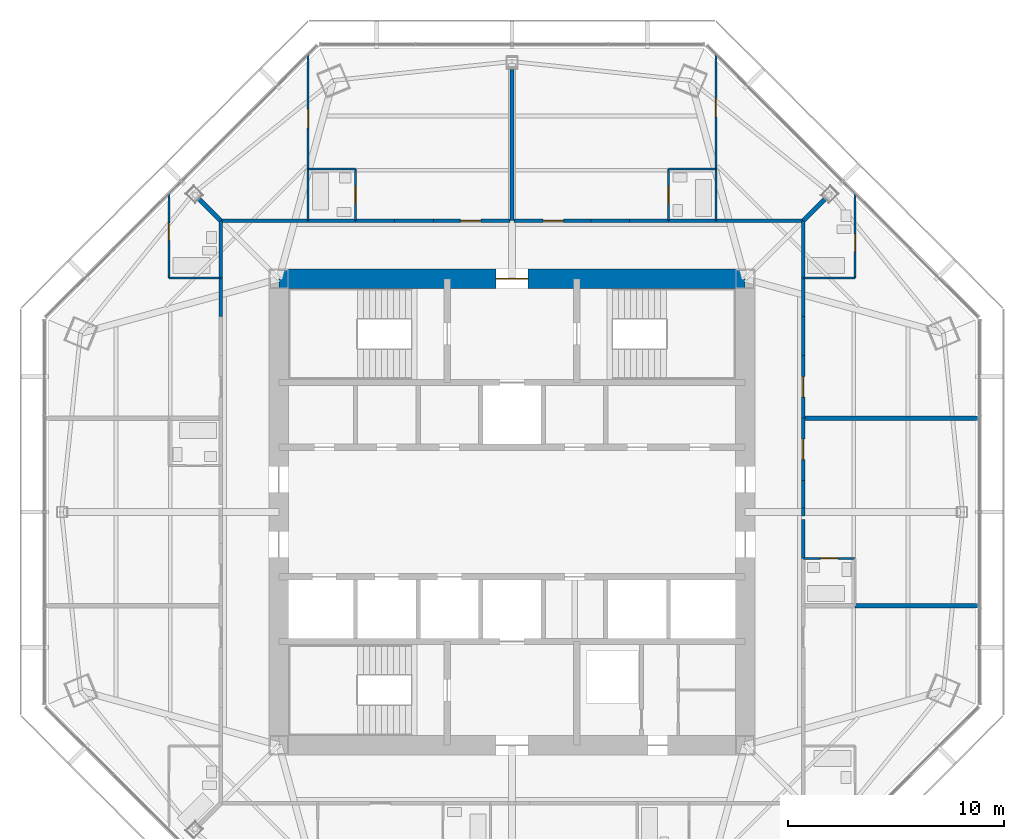
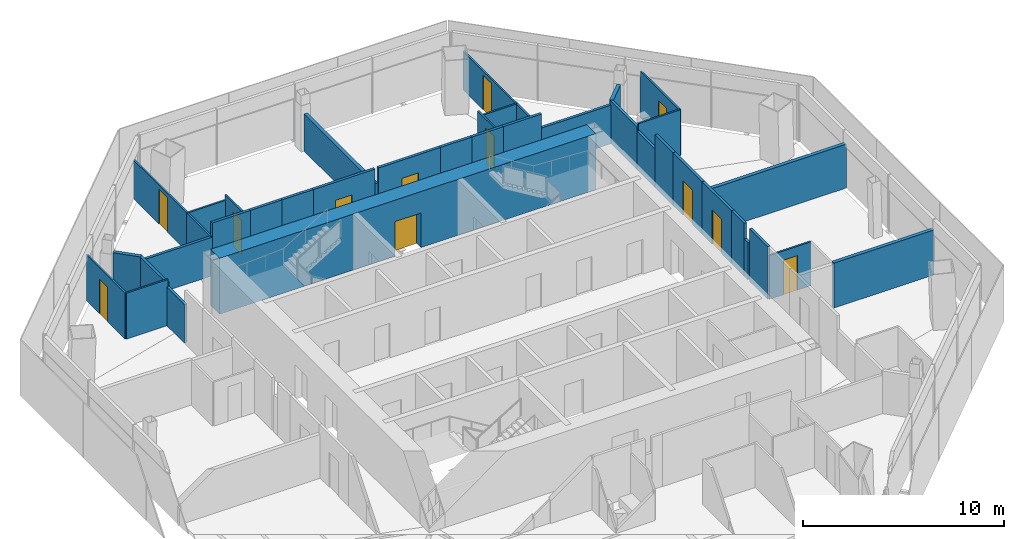
# One storey, part 11 of 15: 39 walls, 12 doors, 12 openings.
"""IFC4 building model written with IfcOpenShell, lengths in metres."""

from ifc_helpers import new_model, si_unit, direction, frame, frame_2d, origin, place, context, subcontext, project, spatial, rectangle, extrude, material, layer, layer_set, type_object, element, fill, save


model = new_model("IFC4")

# Units and contexts
model_context = context("Model", 3, precision=1e-05, world=origin(), true_north=direction((0.0, 1.0)))
body_context = subcontext(model_context, "Body", "Model", "MODEL_VIEW")
ifc_project = project(units=[si_unit("LENGTHUNIT", "METRE"), si_unit("AREAUNIT", "SQUARE_METRE"), si_unit("VOLUMEUNIT", "CUBIC_METRE"), si_unit("PLANEANGLEUNIT", "RADIAN"), si_unit("MASSUNIT", "GRAM", prefix="KILO")], contexts=[model_context])

# Site, building, storey
site_placement = place(None, origin())
site = spatial("IfcSite", under=ifc_project, at=site_placement, CompositionType="ELEMENT")
building_placement = place(site_placement, origin())
building = spatial("IfcBuilding", under=site, at=building_placement, Name="Mashrafa Tower", CompositionType="ELEMENT")
storey_placement = place(building_placement, frame((0.0, 0.0, 224.39990234375)))
storey = spatial("IfcBuildingStorey", under=building, at=storey_placement, Name="L52", CompositionType="ELEMENT", Elevation=224.39990234375)

# Walls
ifc_material_1 = material(Name="Gypsum board on steel studs", Category="steel")
ifc_layer_1 = layer(ifc_material_1, 0.199951171875)
ifc_layer_set_1 = layer_set([ifc_layer_1], Name="Acoustic partition 200 1 hr")
wall_type_1 = type_object("IfcWallType", Name="Acoustic partition 200 1 hr", PredefinedType="PARTITIONING", material=ifc_layer_set_1)
wall_1_placement = place(storey_placement, frame((21.648681640625, -4.35009765625, 0.0), z_axis=(0.0, 0.0, 1.0), x_axis=(-1.0, 0.0, 0.0)))
element("IfcWall", 1, at=wall_1_placement, inside=storey, type_object=wall_type_1, Name="Acoustic wall L52-050", PredefinedType="PARTITIONING", context=body_context, shape_type="SweptSolid", body=[
    extrude(rectangle(XDim=5.749755859375, YDim=0.199951171875, at=frame_2d((2.875, 0.0))), origin(), (0.0, 0.0, 1.0), 2.73046875),
])
wall_2_placement = place(storey_placement, frame((21.648681640625, 4.35009765625, 0.0), z_axis=(0.0, 0.0, 1.0), x_axis=(-1.0, 0.0, 0.0)))
element("IfcWall", 2, at=wall_2_placement, inside=storey, type_object=wall_type_1, Name="Acoustic wall L52-053", PredefinedType="PARTITIONING", context=body_context, shape_type="SweptSolid", body=[
    extrude(rectangle(XDim=8.148681640625, YDim=0.199951171875, at=frame_2d((4.07421875, 0.0))), origin(), (0.0, 0.0, 1.0), 2.664306640625),
])
wall_3_placement = place(storey_placement, frame((14.49658203125, 14.49658203125, 0.0), z_axis=(0.0, 0.0, 1.0), x_axis=(-0.707106781187, -0.707106781187, 0.0)))
element("IfcWall", 3, at=wall_3_placement, inside=storey, type_object=wall_type_1, Name="Acoustic wall L52-056", PredefinedType="PARTITIONING", context=body_context, shape_type="SweptSolid", body=[
    extrude(rectangle(XDim=1.409423828125, YDim=0.199951171875, at=frame_2d((0.70458984375, 0.0))), origin(), (0.0, 0.0, 1.0), 2.5830078125),
])
wall_4_placement = place(storey_placement, frame((0.0, 20.50146484375, 0.0), z_axis=(0.0, 0.0, 1.0), x_axis=(0.0, -1.0, 0.0)))
element("IfcWall", 4, at=wall_4_placement, inside=storey, type_object=wall_type_1, Name="Acoustic wall L52-061", PredefinedType="PARTITIONING", context=body_context, shape_type="SweptSolid", body=[
    extrude(rectangle(XDim=7.00146484375, YDim=0.199951171875, at=frame_2d((3.500732421875, 0.0))), origin(), (0.0, 0.0, 1.0), 2.2529296875),
])
wall_5_placement = place(storey_placement, frame((-14.49658203125, 14.49658203125, 0.0), z_axis=(0.0, 0.0, 1.0), x_axis=(0.707106781187, -0.707106781187, 0.0)))
element("IfcWall", 5, at=wall_5_placement, inside=storey, type_object=wall_type_1, Name="Acoustic wall L52-064", PredefinedType="PARTITIONING", context=body_context, shape_type="SweptSolid", body=[
    extrude(rectangle(XDim=1.409423828125, YDim=0.199951171875, at=frame_2d((0.70458984375, 0.0))), origin(), (0.0, 0.0, 1.0), 2.5830078125),
])

# Wall, opening, door
ifc_material_2 = material(Name="Concrete C50/60", Category="concrete")
ifc_layer_2 = layer(ifc_material_2, 0.89990234375)
ifc_layer_set_2 = layer_set([ifc_layer_2], Name="Core wall 900 C50/60")
wall_type_2 = type_object("IfcWallType", Name="Core wall 900 C50/60", PredefinedType="SOLIDWALL", material=ifc_layer_set_2)
wall_6_placement = place(storey_placement, frame((10.800048828125, 10.800048828125, 0.0), z_axis=(0.0, 0.0, 1.0), x_axis=(-1.0, 0.0, 0.0)))
wall_6 = element("IfcWall", 6, at=wall_6_placement, inside=storey, type_object=wall_type_2, Name="Core wall CW-N L52", PredefinedType="SOLIDWALL", context=body_context, shape_type="SweptSolid", body=[
    extrude(rectangle(XDim=21.60009765625, YDim=0.89990234375, at=frame_2d((10.800048828125, 0.0))), origin(), (0.0, 0.0, 1.0), 3.400146484375),
])
opening_1_placement = place(wall_6_placement, frame((10.050048828125, 0.0, 0.0)))
opening_1 = element("IfcOpeningElement", 7, at=opening_1_placement, cuts=wall_6, Name="Opening 52.030", PredefinedType="OPENING", context=body_context, shape_type="SweptSolid", body=[
    extrude(rectangle(XDim=1.5, YDim=2.10009765625, at=frame_2d((0.75, 1.050048828125))), frame((0.0, 0.4599609375, 0.0), z_axis=(0.0, -1.0, 0.0), x_axis=(1.0, 0.0, 0.0)), (0.0, 0.0, 1.0), 0.919921875),
])
ifc_material_3 = material(Name="Steel door", Category="steel")
door_type_1 = type_object("IfcDoorType", Name="Lobby door pair 1500 x 2100 90 min", OperationType="DOUBLE_DOOR_SINGLE_SWING", PredefinedType="DOOR", material=ifc_material_3)
door_1_placement = place(opening_1_placement, origin())
door_1 = element("IfcDoor", 8, at=door_1_placement, inside=storey, type_object=door_type_1, Name="Fire-fighting lobby F1 door L52", OperationType="DOUBLE_DOOR_SINGLE_SWING", OverallHeight=2.10009765625, OverallWidth=1.5, PredefinedType="DOOR", context=body_context, shape_type="SweptSolid", body=[
    extrude(rectangle(XDim=1.5, YDim=2.10009765625, at=frame_2d((0.75, 1.050048828125))), frame((0.0, 0.02490234375, 0.0), z_axis=(0.0, -1.0, 0.0), x_axis=(1.0, 0.0, 0.0)), (0.0, 0.0, 1.0), 0.050048828125),
])
fill(opening_1, door_1)

# Walls
ifc_material_4 = material(Name="Gypsum board on steel studs", Category="steel")
ifc_layer_3 = layer(ifc_material_4, 0.14990234375)
ifc_layer_set_3 = layer_set([ifc_layer_3], Name="Corridor partition 150 1 hr")
wall_type_3 = type_object("IfcWallType", Name="Corridor partition 150 1 hr", PredefinedType="PARTITIONING", material=ifc_layer_set_3)
wall_7_placement = place(storey_placement, frame((13.5, 0.18359375, 0.0), z_axis=(0.0, 0.0, 1.0), x_axis=(0.0, 1.0, 0.0)))
element("IfcWall", 9, at=wall_7_placement, inside=storey, type_object=wall_type_3, Name="Corridor wall L52-006", PredefinedType="PARTITIONING", context=body_context, shape_type="SweptSolid", body=[
    extrude(rectangle(XDim=1.267333984375, YDim=0.14990234375, at=frame_2d((0.6337890625, 0.0))), origin(), (0.0, 0.0, 1.0), 3.2001953125),
])
wall_8_placement = place(storey_placement, frame((13.5, -0.18359375, 0.0), z_axis=(0.0, 0.0, 1.0), x_axis=(0.0, 1.0, 0.0)))
element("IfcWall", 10, at=wall_8_placement, inside=storey, type_object=wall_type_3, Name="Corridor wall L52-007", PredefinedType="PARTITIONING", context=body_context, shape_type="SweptSolid", body=[
    extrude(rectangle(XDim=0.3671875, YDim=0.14990234375, at=frame_2d((0.18359375, 0.0))), origin(), (0.0, 0.0, 1.0), 2.2529296875),
])
wall_9_placement = place(storey_placement, frame((13.5, -2.15087890625, 0.0), z_axis=(0.0, 0.0, 1.0), x_axis=(0.0, 1.0, 0.0)))
element("IfcWall", 11, at=wall_9_placement, inside=storey, type_object=wall_type_3, Name="Corridor wall L52-008", PredefinedType="PARTITIONING", context=body_context, shape_type="SweptSolid", body=[
    extrude(rectangle(XDim=1.8017578125, YDim=0.14990234375, at=frame_2d((0.90087890625, 0.0))), origin(), (0.0, 0.0, 1.0), 3.2001953125),
])

# Wall, opening, door
wall_10_placement = place(storey_placement, frame((13.5, 1.448974609375, 0.0), z_axis=(0.0, 0.0, 1.0), x_axis=(0.0, 1.0, 0.0)))
wall_10 = element("IfcWall", 12, at=wall_10_placement, inside=storey, type_object=wall_type_3, Name="Corridor wall L52-009", PredefinedType="PARTITIONING", context=body_context, shape_type="SweptSolid", body=[
    extrude(rectangle(XDim=2.902099609375, YDim=0.14990234375, at=frame_2d((1.451171875, 0.0))), origin(), (0.0, 0.0, 1.0), 3.2001953125),
])
opening_2_placement = place(wall_10_placement, frame((0.97607421875, 0.0, 0.0)))
opening_2 = element("IfcOpeningElement", 13, at=opening_2_placement, cuts=wall_10, Name="Opening 52.004", PredefinedType="OPENING", context=body_context, shape_type="SweptSolid", body=[
    extrude(rectangle(XDim=0.949951171875, YDim=2.10009765625, at=frame_2d((0.47509765625, 1.050048828125))), frame((0.0, 0.0849609375, 0.0), z_axis=(0.0, -1.0, 0.0), x_axis=(1.0, 0.0, 0.0)), (0.0, 0.0, 1.0), 0.169921875),
])
ifc_material_5 = material(Name="Steel door", Category="steel")
door_type_2 = type_object("IfcDoorType", Name="Residence entrance door 950 x 2100 20 min", OperationType="USERDEFINED", PredefinedType="DOOR", material=ifc_material_5)
door_2_placement = place(opening_2_placement, frame((0.949951171875, 0.0, 0.0), z_axis=(0.0, 0.0, 1.0), x_axis=(-1.0, 0.0, 0.0)))
door_2 = element("IfcDoor", 14, at=door_2_placement, inside=storey, type_object=door_type_2, Name="Apartment 5202 Studio Living Room door", OperationType="SINGLE_SWING_LEFT", OverallHeight=2.10009765625, OverallWidth=0.949951171875, PredefinedType="DOOR", context=body_context, shape_type="SweptSolid", body=[
    extrude(rectangle(XDim=0.949951171875, YDim=2.10009765625, at=frame_2d((0.47509765625, 1.050048828125))), frame((0.0, 0.02490234375, 0.0), z_axis=(0.0, -1.0, 0.0), x_axis=(1.0, 0.0, 0.0)), (0.0, 0.0, 1.0), 0.050048828125),
])
fill(opening_2, door_2)

# Walls
wall_11_placement = place(storey_placement, frame((13.5, 10.84912109375, 0.0), z_axis=(0.0, 0.0, 1.0), x_axis=(0.0, 1.0, 0.0)))
element("IfcWall", 15, at=wall_11_placement, inside=storey, type_object=wall_type_3, Name="Corridor wall L52-010", PredefinedType="PARTITIONING", context=body_context, shape_type="SweptSolid", body=[
    extrude(rectangle(XDim=2.65087890625, YDim=0.14990234375, at=frame_2d((1.325439453125, 0.0))), origin(), (0.0, 0.0, 1.0), 2.5830078125),
])
wall_12_placement = place(storey_placement, frame((13.5, 7.2490234375, 0.0), z_axis=(0.0, 0.0, 1.0), x_axis=(0.0, 1.0, 0.0)))
element("IfcWall", 16, at=wall_12_placement, inside=storey, type_object=wall_type_3, Name="Corridor wall L52-011", PredefinedType="PARTITIONING", context=body_context, shape_type="SweptSolid", body=[
    extrude(rectangle(XDim=1.802001953125, YDim=0.14990234375, at=frame_2d((0.90087890625, 0.0))), origin(), (0.0, 0.0, 1.0), 3.2001953125),
])

# Wall, opening, door
wall_13_placement = place(storey_placement, frame((13.5, 4.34912109375, 0.0), z_axis=(0.0, 0.0, 1.0), x_axis=(0.0, 1.0, 0.0)))
wall_13 = element("IfcWall", 17, at=wall_13_placement, inside=storey, type_object=wall_type_3, Name="Corridor wall L52-012", PredefinedType="PARTITIONING", context=body_context, shape_type="SweptSolid", body=[
    extrude(rectangle(XDim=2.90185546875, YDim=0.14990234375, at=frame_2d((1.450927734375, 0.0))), origin(), (0.0, 0.0, 1.0), 3.2001953125),
])
opening_3_placement = place(wall_13_placement, frame((0.97607421875, 0.0, 0.0)))
opening_3 = element("IfcOpeningElement", 18, at=opening_3_placement, cuts=wall_13, Name="Opening 52.006", PredefinedType="OPENING", context=body_context, shape_type="SweptSolid", body=[
    extrude(rectangle(XDim=0.949951171875, YDim=2.10009765625, at=frame_2d((0.47509765625, 1.050048828125))), frame((0.0, 0.0849609375, 0.0), z_axis=(0.0, -1.0, 0.0), x_axis=(1.0, 0.0, 0.0)), (0.0, 0.0, 1.0), 0.169921875),
])
door_3_placement = place(opening_3_placement, frame((0.949951171875, 0.0, 0.0), z_axis=(0.0, 0.0, 1.0), x_axis=(-1.0, 0.0, 0.0)))
door_3 = element("IfcDoor", 19, at=door_3_placement, inside=storey, type_object=door_type_2, Name="Apartment 5203 Studio Living Room door", OperationType="SINGLE_SWING_RIGHT", OverallHeight=2.10009765625, OverallWidth=0.949951171875, PredefinedType="DOOR", context=body_context, shape_type="SweptSolid", body=[
    extrude(rectangle(XDim=0.949951171875, YDim=2.10009765625, at=frame_2d((0.47509765625, 1.050048828125))), frame((0.0, 0.02490234375, 0.0), z_axis=(0.0, -1.0, 0.0), x_axis=(1.0, 0.0, 0.0)), (0.0, 0.0, 1.0), 0.050048828125),
])
fill(opening_3, door_3)

# Walls
wall_14_placement = place(storey_placement, frame((13.5, 9.049072265625, 0.0), z_axis=(0.0, 0.0, 1.0), x_axis=(0.0, 1.0, 0.0)))
element("IfcWall", 20, at=wall_14_placement, inside=storey, type_object=wall_type_3, Name="Corridor wall L52-013", PredefinedType="PARTITIONING", context=body_context, shape_type="SweptSolid", body=[
    extrude(rectangle(XDim=1.802001953125, YDim=0.14990234375, at=frame_2d((0.90087890625, 0.0))), origin(), (0.0, 0.0, 1.0), 2.34423828125),
])
wall_15_placement = place(storey_placement, frame((13.5, 13.5, 0.0), z_axis=(0.0, 0.0, 1.0), x_axis=(-1.0, 0.0, 0.0)))
element("IfcWall", 21, at=wall_15_placement, inside=storey, type_object=wall_type_3, Name="Corridor wall L52-014", PredefinedType="PARTITIONING", context=body_context, shape_type="SweptSolid", body=[
    extrude(rectangle(XDim=4.051025390625, YDim=0.14990234375, at=frame_2d((2.025390625, 0.0))), origin(), (0.0, 0.0, 1.0), 2.34423828125),
])
wall_16_placement = place(storey_placement, frame((9.450927734375, 13.5, 0.0), z_axis=(0.0, 0.0, 1.0), x_axis=(-1.0, 0.0, 0.0)))
element("IfcWall", 22, at=wall_16_placement, inside=storey, type_object=wall_type_3, Name="Corridor wall L52-015", PredefinedType="PARTITIONING", context=body_context, shape_type="SweptSolid", body=[
    extrude(rectangle(XDim=2.201904296875, YDim=0.14990234375, at=frame_2d((1.10107421875, 0.0))), origin(), (0.0, 0.0, 1.0), 3.2001953125),
])
wall_17_placement = place(storey_placement, frame((5.450927734375, 13.5, 0.0), z_axis=(0.0, 0.0, 1.0), x_axis=(-1.0, 0.0, 0.0)))
element("IfcWall", 23, at=wall_17_placement, inside=storey, type_object=wall_type_3, Name="Corridor wall L52-016", PredefinedType="PARTITIONING", context=body_context, shape_type="SweptSolid", body=[
    extrude(rectangle(XDim=1.802001953125, YDim=0.14990234375, at=frame_2d((0.90087890625, 0.0))), origin(), (0.0, 0.0, 1.0), 3.2001953125),
])

# Wall, opening, door
wall_18_placement = place(storey_placement, frame((3.65087890625, 13.5, 0.0), z_axis=(0.0, 0.0, 1.0), x_axis=(-1.0, 0.0, 0.0)))
wall_18 = element("IfcWall", 24, at=wall_18_placement, inside=storey, type_object=wall_type_3, Name="Corridor wall L52-017", PredefinedType="PARTITIONING", context=body_context, shape_type="SweptSolid", body=[
    extrude(rectangle(XDim=3.548828125, YDim=0.14990234375, at=frame_2d((1.7744140625, 0.0))), origin(), (0.0, 0.0, 1.0), 3.2001953125),
])
opening_4_placement = place(wall_18_placement, frame((1.2587890625, 0.0, 0.0)))
opening_4 = element("IfcOpeningElement", 25, at=opening_4_placement, cuts=wall_18, Name="Opening 52.009", PredefinedType="OPENING", context=body_context, shape_type="SweptSolid", body=[
    extrude(rectangle(XDim=0.949951171875, YDim=2.10009765625, at=frame_2d((0.47509765625, 1.050048828125))), frame((0.0, 0.0849609375, 0.0), z_axis=(0.0, -1.0, 0.0), x_axis=(1.0, 0.0, 0.0)), (0.0, 0.0, 1.0), 0.169921875),
])
door_4_placement = place(opening_4_placement, frame((0.949951171875, 0.0, 0.0), z_axis=(0.0, 0.0, 1.0), x_axis=(-1.0, 0.0, 0.0)))
door_4 = element("IfcDoor", 26, at=door_4_placement, inside=storey, type_object=door_type_2, Name="Apartment 5204 Living Room door", OperationType="SINGLE_SWING_RIGHT", OverallHeight=2.10009765625, OverallWidth=0.949951171875, PredefinedType="DOOR", context=body_context, shape_type="SweptSolid", body=[
    extrude(rectangle(XDim=0.949951171875, YDim=2.10009765625, at=frame_2d((0.47509765625, 1.050048828125))), frame((0.0, 0.02490234375, 0.0), z_axis=(0.0, -1.0, 0.0), x_axis=(1.0, 0.0, 0.0)), (0.0, 0.0, 1.0), 0.050048828125),
])
fill(opening_4, door_4)

# Walls
wall_19_placement = place(storey_placement, frame((7.2509765625, 13.5, 0.0), z_axis=(0.0, 0.0, 1.0), x_axis=(-1.0, 0.0, 0.0)))
element("IfcWall", 27, at=wall_19_placement, inside=storey, type_object=wall_type_3, Name="Corridor wall L52-018", PredefinedType="PARTITIONING", context=body_context, shape_type="SweptSolid", body=[
    extrude(rectangle(XDim=1.802001953125, YDim=0.14990234375, at=frame_2d((0.90087890625, 0.0))), origin(), (0.0, 0.0, 1.0), 3.2001953125),
])
wall_20_placement = place(storey_placement, frame((-9.448974609375, 13.5, 0.0), z_axis=(0.0, 0.0, 1.0), x_axis=(-1.0, 0.0, 0.0)))
element("IfcWall", 28, at=wall_20_placement, inside=storey, type_object=wall_type_3, Name="Corridor wall L52-019", PredefinedType="PARTITIONING", context=body_context, shape_type="SweptSolid", body=[
    extrude(rectangle(XDim=4.051025390625, YDim=0.14990234375, at=frame_2d((2.025390625, 0.0))), origin(), (0.0, 0.0, 1.0), 2.34423828125),
])
wall_21_placement = place(storey_placement, frame((-7.2490234375, 13.5, 0.0), z_axis=(0.0, 0.0, 1.0), x_axis=(-1.0, 0.0, 0.0)))
element("IfcWall", 29, at=wall_21_placement, inside=storey, type_object=wall_type_3, Name="Corridor wall L52-020", PredefinedType="PARTITIONING", context=body_context, shape_type="SweptSolid", body=[
    extrude(rectangle(XDim=2.201904296875, YDim=0.14990234375, at=frame_2d((1.10107421875, 0.0))), origin(), (0.0, 0.0, 1.0), 3.2001953125),
])
for number, where, z_axis, x_axis, name in (
    (30, (-3.64892578125, 13.5, 0.0), (0.0, 0.0, 1.0), (-1.0, 0.0, 0.0), "Corridor wall L52-021"),
    (31, (-5.448974609375, 13.5, 0.0), (0.0, 0.0, 1.0), (-1.0, 0.0, 0.0), "Corridor wall L52-022"),
):
    element("IfcWall", number, at=place(storey_placement, frame(where, z_axis=z_axis, x_axis=x_axis)), inside=storey, type_object=wall_type_3, Name=name, PredefinedType="PARTITIONING", context=body_context, shape_type="SweptSolid", body=[
        extrude(rectangle(XDim=1.802001953125, YDim=0.14990234375, at=frame_2d((0.90087890625, 0.0))), origin(), (0.0, 0.0, 1.0), 3.2001953125),
    ])

# Wall, opening, door
wall_22_placement = place(storey_placement, frame((-0.10205078125, 13.5, 0.0), z_axis=(0.0, 0.0, 1.0), x_axis=(-1.0, 0.0, 0.0)))
wall_22 = element("IfcWall", 32, at=wall_22_placement, inside=storey, type_object=wall_type_3, Name="Corridor wall L52-023", PredefinedType="PARTITIONING", context=body_context, shape_type="SweptSolid", body=[
    extrude(rectangle(XDim=3.548828125, YDim=0.14990234375, at=frame_2d((1.7744140625, 0.0))), origin(), (0.0, 0.0, 1.0), 3.2001953125),
])
opening_5_placement = place(wall_22_placement, frame((1.34033203125, 0.0, 0.0)))
opening_5 = element("IfcOpeningElement", 33, at=opening_5_placement, cuts=wall_22, Name="Opening 52.012", PredefinedType="OPENING", context=body_context, shape_type="SweptSolid", body=[
    extrude(rectangle(XDim=0.949951171875, YDim=2.10009765625, at=frame_2d((0.47509765625, 1.050048828125))), frame((0.0, 0.0849609375, 0.0), z_axis=(0.0, -1.0, 0.0), x_axis=(1.0, 0.0, 0.0)), (0.0, 0.0, 1.0), 0.169921875),
])
door_5_placement = place(opening_5_placement, frame((0.949951171875, 0.0, 0.0), z_axis=(0.0, 0.0, 1.0), x_axis=(-1.0, 0.0, 0.0)))
door_5 = element("IfcDoor", 34, at=door_5_placement, inside=storey, type_object=door_type_2, Name="Apartment 5205 Living Room door", OperationType="SINGLE_SWING_LEFT", OverallHeight=2.10009765625, OverallWidth=0.949951171875, PredefinedType="DOOR", context=body_context, shape_type="SweptSolid", body=[
    extrude(rectangle(XDim=0.949951171875, YDim=2.10009765625, at=frame_2d((0.47509765625, 1.050048828125))), frame((0.0, 0.02490234375, 0.0), z_axis=(0.0, -1.0, 0.0), x_axis=(1.0, 0.0, 0.0)), (0.0, 0.0, 1.0), 0.050048828125),
])
fill(opening_5, door_5)

# Walls
wall_23_placement = place(storey_placement, frame((-13.5, 13.5, 0.0), z_axis=(0.0, 0.0, 1.0), x_axis=(0.0, -1.0, 0.0)))
element("IfcWall", 35, at=wall_23_placement, inside=storey, type_object=wall_type_3, Name="Corridor wall L52-024", PredefinedType="PARTITIONING", context=body_context, shape_type="SweptSolid", body=[
    extrude(rectangle(XDim=2.65087890625, YDim=0.14990234375, at=frame_2d((1.325439453125, 0.0))), origin(), (0.0, 0.0, 1.0), 2.5830078125),
])
wall_24_placement = place(storey_placement, frame((-13.5, 10.85107421875, 0.0), z_axis=(0.0, 0.0, 1.0), x_axis=(0.0, -1.0, 0.0)))
element("IfcWall", 36, at=wall_24_placement, inside=storey, type_object=wall_type_3, Name="Corridor wall L52-027", PredefinedType="PARTITIONING", context=body_context, shape_type="SweptSolid", body=[
    extrude(rectangle(XDim=1.802001953125, YDim=0.14990234375, at=frame_2d((0.90087890625, 0.0))), origin(), (0.0, 0.0, 1.0), 2.34423828125),
])

# Wall, opening, door
ifc_material_6 = material(Name="Gypsum board on steel studs", Category="steel")
ifc_layer_4 = layer(ifc_material_6, 0.10009765625)
ifc_layer_set_4 = layer_set([ifc_layer_4], Name="Partition 100")
wall_type_4 = type_object("IfcWallType", Name="Partition 100", PredefinedType="PARTITIONING", material=ifc_layer_set_4)
wall_25_placement = place(storey_placement, frame((15.89990234375, -2.14990234375, 0.0), z_axis=(0.0, 0.0, 1.0), x_axis=(-1.0, 0.0, 0.0)))
wall_25 = element("IfcWall", 37, at=wall_25_placement, inside=storey, type_object=wall_type_4, Name="Partition wall L52-052", PredefinedType="PARTITIONING", context=body_context, shape_type="SweptSolid", body=[
    extrude(rectangle(XDim=2.39990234375, YDim=0.10009765625, at=frame_2d((1.199951171875, 0.0))), origin(), (0.0, 0.0, 1.0), 2.664306640625),
])
opening_6_placement = place(wall_25_placement, frame((0.800048828125, 0.0, 0.0)))
opening_6 = element("IfcOpeningElement", 38, at=opening_6_placement, cuts=wall_25, Name="Opening 52.003", PredefinedType="OPENING", context=body_context, shape_type="SweptSolid", body=[
    extrude(rectangle(XDim=0.800048828125, YDim=2.10009765625, at=frame_2d((0.39990234375, 1.050048828125))), frame((0.0, 0.06005859375, 0.0), z_axis=(0.0, -1.0, 0.0), x_axis=(1.0, 0.0, 0.0)), (0.0, 0.0, 1.0), 0.1201171875),
])
ifc_material_7 = material(Name="Timber door", Category="wood")
door_type_3 = type_object("IfcDoorType", Name="Bathroom door 800 x 2100", OperationType="USERDEFINED", PredefinedType="DOOR", material=ifc_material_7)
door_6_placement = place(opening_6_placement, origin())
door_6 = element("IfcDoor", 39, at=door_6_placement, inside=storey, type_object=door_type_3, Name="Apartment 5202 Bathroom door", OperationType="SINGLE_SWING_LEFT", OverallHeight=2.10009765625, OverallWidth=0.800048828125, PredefinedType="DOOR", context=body_context, shape_type="SweptSolid", body=[
    extrude(rectangle(XDim=0.800048828125, YDim=2.10009765625, at=frame_2d((0.39990234375, 1.050048828125))), frame((0.0, 0.02490234375, 0.0), z_axis=(0.0, -1.0, 0.0), x_axis=(1.0, 0.0, 0.0)), (0.0, 0.0, 1.0), 0.050048828125),
])
fill(opening_6, door_6)

# Wall
wall_26_placement = place(storey_placement, frame((13.5, 10.85009765625, 0.0), z_axis=(0.0, 0.0, 1.0), x_axis=(1.0, 0.0, 0.0)))
element("IfcWall", 40, at=wall_26_placement, inside=storey, type_object=wall_type_4, Name="Partition wall L52-054", PredefinedType="PARTITIONING", context=body_context, shape_type="SweptSolid", body=[
    extrude(rectangle(XDim=2.39990234375, YDim=0.10009765625, at=frame_2d((1.199951171875, 0.0))), origin(), (0.0, 0.0, 1.0), 2.7861328125),
])

# Wall, opening, door
wall_27_placement = place(storey_placement, frame((15.89990234375, 10.85009765625, 0.0), z_axis=(0.0, 0.0, 1.0), x_axis=(0.0, 1.0, 0.0)))
wall_27 = element("IfcWall", 41, at=wall_27_placement, inside=storey, type_object=wall_type_4, Name="Partition wall L52-055", PredefinedType="PARTITIONING", context=body_context, shape_type="SweptSolid", body=[
    extrude(rectangle(XDim=3.869384765625, YDim=0.10009765625, at=frame_2d((1.9345703125, 0.0))), origin(), (0.0, 0.0, 1.0), 2.78369140625),
])
opening_7_placement = place(wall_27_placement, frame((1.2275390625, 0.0, 0.0)))
opening_7 = element("IfcOpeningElement", 42, at=opening_7_placement, cuts=wall_27, Name="Opening 52.005", PredefinedType="OPENING", context=body_context, shape_type="SweptSolid", body=[
    extrude(rectangle(XDim=0.800048828125, YDim=2.10009765625, at=frame_2d((0.39990234375, 1.050048828125))), frame((0.0, 0.06005859375, 0.0), z_axis=(0.0, -1.0, 0.0), x_axis=(1.0, 0.0, 0.0)), (0.0, 0.0, 1.0), 0.1201171875),
])
door_7_placement = place(opening_7_placement, origin())
door_7 = element("IfcDoor", 43, at=door_7_placement, inside=storey, type_object=door_type_3, Name="Apartment 5203 Bathroom door", OperationType="SINGLE_SWING_LEFT", OverallHeight=2.10009765625, OverallWidth=0.800048828125, PredefinedType="DOOR", context=body_context, shape_type="SweptSolid", body=[
    extrude(rectangle(XDim=0.800048828125, YDim=2.10009765625, at=frame_2d((0.39990234375, 1.050048828125))), frame((0.0, 0.02490234375, 0.0), z_axis=(0.0, -1.0, 0.0), x_axis=(1.0, 0.0, 0.0)), (0.0, 0.0, 1.0), 0.050048828125),
])
fill(opening_7, door_7)

# Wall
wall_28_placement = place(storey_placement, frame((9.449951171875, 15.90087890625, 0.0), z_axis=(0.0, 0.0, 1.0), x_axis=(0.0, -1.0, 0.0)))
element("IfcWall", 44, at=wall_28_placement, inside=storey, type_object=wall_type_4, Name="Partition wall L52-057", PredefinedType="PARTITIONING", context=body_context, shape_type="SweptSolid", body=[
    extrude(rectangle(XDim=2.40087890625, YDim=0.10009765625, at=frame_2d((1.200439453125, 0.0))), origin(), (0.0, 0.0, 1.0), 2.34423828125),
])

# Wall, opening, door
wall_29_placement = place(storey_placement, frame((9.449951171875, 21.169677734375, 0.0), z_axis=(0.0, 0.0, 1.0), x_axis=(0.0, -1.0, 0.0)))
wall_29 = element("IfcWall", 45, at=wall_29_placement, inside=storey, type_object=wall_type_4, Name="Partition wall L52-058", PredefinedType="PARTITIONING", context=body_context, shape_type="SweptSolid", body=[
    extrude(rectangle(XDim=5.270751953125, YDim=0.10009765625, at=frame_2d((2.63525390625, 0.0))), origin(), (0.0, 0.0, 1.0), 2.34423828125),
])
opening_8_placement = place(wall_29_placement, frame((2.013427734375, 0.0, 0.0)))
opening_8 = element("IfcOpeningElement", 46, at=opening_8_placement, cuts=wall_29, Name="Opening 52.007", PredefinedType="OPENING", context=body_context, shape_type="SweptSolid", body=[
    extrude(rectangle(XDim=0.85009765625, YDim=2.10009765625, at=frame_2d((0.425048828125, 1.050048828125))), frame((0.0, 0.06005859375, 0.0), z_axis=(0.0, -1.0, 0.0), x_axis=(1.0, 0.0, 0.0)), (0.0, 0.0, 1.0), 0.1201171875),
])
ifc_material_8 = material(Name="Timber door", Category="wood")
door_type_4 = type_object("IfcDoorType", Name="Bedroom door 850 x 2100", OperationType="USERDEFINED", PredefinedType="DOOR", material=ifc_material_8)
door_8_placement = place(opening_8_placement, origin())
door_8 = element("IfcDoor", 47, at=door_8_placement, inside=storey, type_object=door_type_4, Name="Apartment 5204 Bedroom 1 door", OperationType="SINGLE_SWING_LEFT", OverallHeight=2.10009765625, OverallWidth=0.85009765625, PredefinedType="DOOR", context=body_context, shape_type="SweptSolid", body=[
    extrude(rectangle(XDim=0.85009765625, YDim=2.10009765625, at=frame_2d((0.425048828125, 1.050048828125))), frame((0.0, 0.02490234375, 0.0), z_axis=(0.0, -1.0, 0.0), x_axis=(1.0, 0.0, 0.0)), (0.0, 0.0, 1.0), 0.050048828125),
])
fill(opening_8, door_8)

# Wall
wall_30_placement = place(storey_placement, frame((9.449951171875, 15.89990234375, 0.0), z_axis=(0.0, 0.0, 1.0), x_axis=(-1.0, 0.0, 0.0)))
element("IfcWall", 48, at=wall_30_placement, inside=storey, type_object=wall_type_4, Name="Partition wall L52-059", PredefinedType="PARTITIONING", context=body_context, shape_type="SweptSolid", body=[
    extrude(rectangle(XDim=2.199951171875, YDim=0.10009765625, at=frame_2d((1.10009765625, 0.0))), origin(), (0.0, 0.0, 1.0), 2.34423828125),
])

# Wall, opening, door
wall_31_placement = place(storey_placement, frame((7.25, 15.89990234375, 0.0), z_axis=(0.0, 0.0, 1.0), x_axis=(0.0, -1.0, 0.0)))
wall_31 = element("IfcWall", 49, at=wall_31_placement, inside=storey, type_object=wall_type_4, Name="Partition wall L52-060", PredefinedType="PARTITIONING", context=body_context, shape_type="SweptSolid", body=[
    extrude(rectangle(XDim=2.39990234375, YDim=0.10009765625, at=frame_2d((1.199951171875, 0.0))), origin(), (0.0, 0.0, 1.0), 2.664306640625),
])
opening_9_placement = place(wall_31_placement, frame((0.800048828125, 0.0, 0.0)))
opening_9 = element("IfcOpeningElement", 50, at=opening_9_placement, cuts=wall_31, Name="Opening 52.008", PredefinedType="OPENING", context=body_context, shape_type="SweptSolid", body=[
    extrude(rectangle(XDim=0.800048828125, YDim=2.10009765625, at=frame_2d((0.39990234375, 1.050048828125))), frame((0.0, 0.06005859375, 0.0), z_axis=(0.0, -1.0, 0.0), x_axis=(1.0, 0.0, 0.0)), (0.0, 0.0, 1.0), 0.1201171875),
])
door_9_placement = place(opening_9_placement, origin())
door_9 = element("IfcDoor", 51, at=door_9_placement, inside=storey, type_object=door_type_3, Name="Apartment 5204 Bathroom door", OperationType="SINGLE_SWING_LEFT", OverallHeight=2.10009765625, OverallWidth=0.800048828125, PredefinedType="DOOR", context=body_context, shape_type="SweptSolid", body=[
    extrude(rectangle(XDim=0.800048828125, YDim=2.10009765625, at=frame_2d((0.39990234375, 1.050048828125))), frame((0.0, 0.02490234375, 0.0), z_axis=(0.0, -1.0, 0.0), x_axis=(1.0, 0.0, 0.0)), (0.0, 0.0, 1.0), 0.050048828125),
])
fill(opening_9, door_9)

# Wall
wall_32_placement = place(storey_placement, frame((-9.449951171875, 13.5, 0.0), z_axis=(0.0, 0.0, 1.0), x_axis=(0.0, 1.0, 0.0)))
element("IfcWall", 52, at=wall_32_placement, inside=storey, type_object=wall_type_4, Name="Partition wall L52-062", PredefinedType="PARTITIONING", context=body_context, shape_type="SweptSolid", body=[
    extrude(rectangle(XDim=2.40087890625, YDim=0.10009765625, at=frame_2d((1.200439453125, 0.0))), origin(), (0.0, 0.0, 1.0), 2.34423828125),
])

# Wall, opening, door
wall_33_placement = place(storey_placement, frame((-9.449951171875, 15.89892578125, 0.0), z_axis=(0.0, 0.0, 1.0), x_axis=(0.0, 1.0, 0.0)))
wall_33 = element("IfcWall", 53, at=wall_33_placement, inside=storey, type_object=wall_type_4, Name="Partition wall L52-063", PredefinedType="PARTITIONING", context=body_context, shape_type="SweptSolid", body=[
    extrude(rectangle(XDim=5.270751953125, YDim=0.10009765625, at=frame_2d((2.63525390625, 0.0))), origin(), (0.0, 0.0, 1.0), 2.34423828125),
])
opening_10_placement = place(wall_33_placement, frame((1.903076171875, 0.0, 0.0)))
opening_10 = element("IfcOpeningElement", 54, at=opening_10_placement, cuts=wall_33, Name="Opening 52.010", PredefinedType="OPENING", context=body_context, shape_type="SweptSolid", body=[
    extrude(rectangle(XDim=0.85009765625, YDim=2.10009765625, at=frame_2d((0.425048828125, 1.050048828125))), frame((0.0, 0.06005859375, 0.0), z_axis=(0.0, -1.0, 0.0), x_axis=(1.0, 0.0, 0.0)), (0.0, 0.0, 1.0), 0.1201171875),
])
door_10_placement = place(opening_10_placement, origin())
door_10 = element("IfcDoor", 55, at=door_10_placement, inside=storey, type_object=door_type_4, Name="Apartment 5205 Bedroom 1 door", OperationType="SINGLE_SWING_RIGHT", OverallHeight=2.10009765625, OverallWidth=0.85009765625, PredefinedType="DOOR", context=body_context, shape_type="SweptSolid", body=[
    extrude(rectangle(XDim=0.85009765625, YDim=2.10009765625, at=frame_2d((0.425048828125, 1.050048828125))), frame((0.0, 0.02490234375, 0.0), z_axis=(0.0, -1.0, 0.0), x_axis=(1.0, 0.0, 0.0)), (0.0, 0.0, 1.0), 0.050048828125),
])
fill(opening_10, door_10)

wall_34_placement = place(storey_placement, frame((-7.25, 13.5, 0.0), z_axis=(0.0, 0.0, 1.0), x_axis=(0.0, 1.0, 0.0)))
wall_34 = element("IfcWall", 56, at=wall_34_placement, inside=storey, type_object=wall_type_4, Name="Partition wall L52-065", PredefinedType="PARTITIONING", context=body_context, shape_type="SweptSolid", body=[
    extrude(rectangle(XDim=2.39990234375, YDim=0.10009765625, at=frame_2d((1.199951171875, 0.0))), origin(), (0.0, 0.0, 1.0), 2.664306640625),
])
opening_11_placement = place(wall_34_placement, frame((0.800048828125, 0.0, 0.0)))
opening_11 = element("IfcOpeningElement", 57, at=opening_11_placement, cuts=wall_34, Name="Opening 52.011", PredefinedType="OPENING", context=body_context, shape_type="SweptSolid", body=[
    extrude(rectangle(XDim=0.800048828125, YDim=2.10009765625, at=frame_2d((0.39990234375, 1.050048828125))), frame((0.0, 0.06005859375, 0.0), z_axis=(0.0, -1.0, 0.0), x_axis=(1.0, 0.0, 0.0)), (0.0, 0.0, 1.0), 0.1201171875),
])
door_11_placement = place(opening_11_placement, origin())
door_11 = element("IfcDoor", 58, at=door_11_placement, inside=storey, type_object=door_type_3, Name="Apartment 5205 Bathroom door", OperationType="SINGLE_SWING_RIGHT", OverallHeight=2.10009765625, OverallWidth=0.800048828125, PredefinedType="DOOR", context=body_context, shape_type="SweptSolid", body=[
    extrude(rectangle(XDim=0.800048828125, YDim=2.10009765625, at=frame_2d((0.39990234375, 1.050048828125))), frame((0.0, 0.02490234375, 0.0), z_axis=(0.0, -1.0, 0.0), x_axis=(1.0, 0.0, 0.0)), (0.0, 0.0, 1.0), 0.050048828125),
])
fill(opening_11, door_11)

# Wall
wall_35_placement = place(storey_placement, frame((-7.25, 15.89990234375, 0.0), z_axis=(0.0, 0.0, 1.0), x_axis=(-1.0, 0.0, 0.0)))
element("IfcWall", 59, at=wall_35_placement, inside=storey, type_object=wall_type_4, Name="Partition wall L52-066", PredefinedType="PARTITIONING", context=body_context, shape_type="SweptSolid", body=[
    extrude(rectangle(XDim=2.199951171875, YDim=0.10009765625, at=frame_2d((1.10009765625, 0.0))), origin(), (0.0, 0.0, 1.0), 2.34423828125),
])

# Wall, opening, door
wall_36_placement = place(storey_placement, frame((-15.89990234375, 14.719482421875, 0.0), z_axis=(0.0, 0.0, 1.0), x_axis=(0.0, -1.0, 0.0)))
wall_36 = element("IfcWall", 60, at=wall_36_placement, inside=storey, type_object=wall_type_4, Name="Partition wall L52-067", PredefinedType="PARTITIONING", context=body_context, shape_type="SweptSolid", body=[
    extrude(rectangle(XDim=3.869384765625, YDim=0.10009765625, at=frame_2d((1.9345703125, 0.0))), origin(), (0.0, 0.0, 1.0), 2.78369140625),
])
opening_12_placement = place(wall_36_placement, frame((1.337890625, 0.0, 0.0)))
opening_12 = element("IfcOpeningElement", 61, at=opening_12_placement, cuts=wall_36, Name="Opening 52.013", PredefinedType="OPENING", context=body_context, shape_type="SweptSolid", body=[
    extrude(rectangle(XDim=0.800048828125, YDim=2.10009765625, at=frame_2d((0.39990234375, 1.050048828125))), frame((0.0, 0.06005859375, 0.0), z_axis=(0.0, -1.0, 0.0), x_axis=(1.0, 0.0, 0.0)), (0.0, 0.0, 1.0), 0.1201171875),
])
door_12_placement = place(opening_12_placement, origin())
door_12 = element("IfcDoor", 62, at=door_12_placement, inside=storey, type_object=door_type_3, Name="Apartment 5206 Bathroom door", OperationType="SINGLE_SWING_LEFT", OverallHeight=2.10009765625, OverallWidth=0.800048828125, PredefinedType="DOOR", context=body_context, shape_type="SweptSolid", body=[
    extrude(rectangle(XDim=0.800048828125, YDim=2.10009765625, at=frame_2d((0.39990234375, 1.050048828125))), frame((0.0, 0.02490234375, 0.0), z_axis=(0.0, -1.0, 0.0), x_axis=(1.0, 0.0, 0.0)), (0.0, 0.0, 1.0), 0.050048828125),
])
fill(opening_12, door_12)

# Wall
wall_37_placement = place(storey_placement, frame((-15.89990234375, 10.85009765625, 0.0), z_axis=(0.0, 0.0, 1.0), x_axis=(1.0, 0.0, 0.0)))
element("IfcWall", 63, at=wall_37_placement, inside=storey, type_object=wall_type_4, Name="Partition wall L52-068", PredefinedType="PARTITIONING", context=body_context, shape_type="SweptSolid", body=[
    extrude(rectangle(XDim=2.39990234375, YDim=0.10009765625, at=frame_2d((1.199951171875, 0.0))), origin(), (0.0, 0.0, 1.0), 2.7861328125),
])

save(model, "model.ifc")
